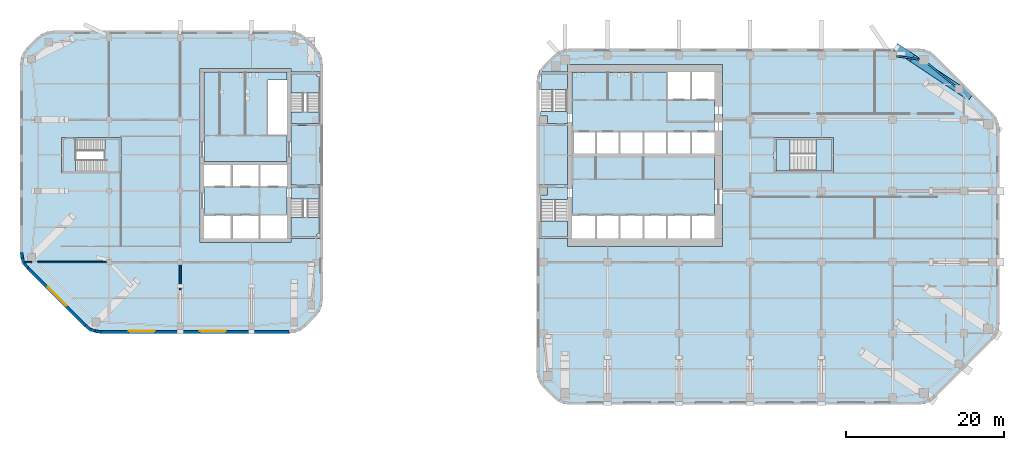
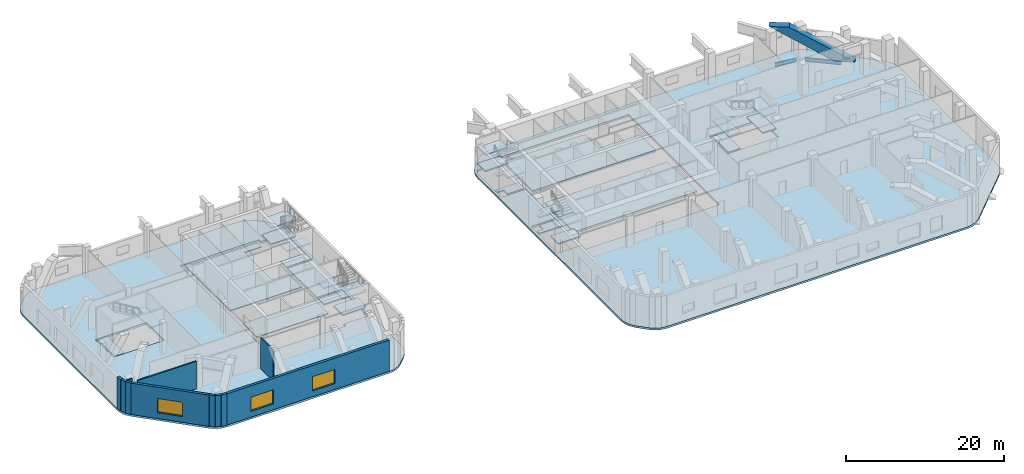
# One storey, part 4 of 14: 28 slabs, 11 walls, 3 windows, 2 beams, 1 member, 3 openings, 6 elements without a shape of their own.
"""IFC4 building model written with IfcOpenShell, lengths in metres."""

from ifc_helpers import new_model, si_unit, direction, frame, frame_2d, origin, origin_2d, place, context, subcontext, project, spatial, polyline, rectangle, i_section, outline, extrude, material, layer, layer_set, material_profile, profile_set, type_object, element, fill, aggregate, save


model = new_model("IFC4")

# Units and contexts
model_context = context("Model", 3, precision=1e-05, world=origin(), true_north=direction((0.0, 1.0)))
body_context = subcontext(model_context, "Body", "Model", "MODEL_VIEW")
ifc_project = project(units=[si_unit("LENGTHUNIT", "METRE"), si_unit("AREAUNIT", "SQUARE_METRE"), si_unit("VOLUMEUNIT", "CUBIC_METRE"), si_unit("PLANEANGLEUNIT", "RADIAN"), si_unit("MASSUNIT", "GRAM", prefix="KILO")], contexts=[model_context])

# Site, building, storey
site_placement = place(None, origin())
site = spatial("IfcSite", under=ifc_project, at=site_placement, CompositionType="ELEMENT")
building_placement = place(site_placement, origin())
building = spatial("IfcBuilding", under=site, at=building_placement, Name="Cinnabar Reach Civic Tower", CompositionType="ELEMENT")
storey_placement = place(building_placement, frame((0.0, 0.0, 95.0)))
storey = spatial("IfcBuildingStorey", under=building, at=storey_placement, Name="L22", CompositionType="ELEMENT", Elevation=95.0)

# Beams
ifc_material_1 = material(Name="Steel Q355B", Category="steel")
ifc_material_profile_1 = material_profile(ifc_material_1, i_section(OverallWidth=0.2, OverallDepth=0.6, WebThickness=0.011, FlangeThickness=0.017, FilletRadius=0.016, at=origin_2d()), Name="HN600x200x11x17")
ifc_profile_set_1 = profile_set([ifc_material_profile_1], Name="Steel Q355B")
beam_type = type_object("IfcBeamType", Name="HN600x200x11x17 beam R 180", PredefinedType="BEAM", material=ifc_profile_set_1)
beam_1_placement = place(storey_placement, frame((53.0211, 40.1461, -0.6), z_axis=(-0.77143827905, 0.6363041581, 0.0), x_axis=(-0.6363041581, -0.77143827905, 0.0)))
element("IfcBeam", 1, at=beam_1_placement, inside=storey, type_object=beam_type, Name="Edge beam T1 L22 13", PredefinedType="BEAM", context=body_context, shape_type="SweptSolid", body=[
    extrude(i_section(OverallWidth=0.2, OverallDepth=0.6, WebThickness=0.011, FlangeThickness=0.017, FilletRadius=0.016, at=origin_2d()), origin(), (0.0, 0.0, 1.0), 4.7198),
])
beam_2_placement = place(storey_placement, frame((48.4161, 43.6153, -0.6), z_axis=(-0.990082238922, 0.140489003738, 0.0), x_axis=(-0.140489003738, -0.990082238922, 0.0)))
element("IfcBeam", 2, at=beam_2_placement, inside=storey, type_object=beam_type, Name="Edge beam T1 L22 14", PredefinedType="BEAM", context=body_context, shape_type="SweptSolid", body=[
    extrude(i_section(OverallWidth=0.2, OverallDepth=0.6, WebThickness=0.011, FlangeThickness=0.017, FilletRadius=0.016, at=origin_2d()), origin(), (0.0, 0.0, 1.0), 2.9433),
])

# Member
ifc_material_2 = material(Name="Concrete C70", Category="concrete")
ifc_material_profile_2 = material_profile(ifc_material_2, rectangle(XDim=2.6, YDim=1.0, at=origin_2d()), Name="RC2600x1000")
ifc_profile_set_2 = profile_set([ifc_material_profile_2], Name="Concrete C70")
member_type = type_object("IfcMemberType", Name="RC2600x1000 raked strut R 240", PredefinedType="STRUT", material=ifc_profile_set_2)
member_placement = place(storey_placement, frame((53.7811, 39.5852, -0.3), z_axis=(0.0, 0.0, 1.0), x_axis=(-0.83205094808, 0.554699215611, 0.0)))
element("IfcMember", 3, at=member_placement, inside=storey, type_object=member_type, Name="Raked column T1-Z1-F3-M", PredefinedType="STRUT", context=body_context, shape_type="SweptSolid", body=[
    extrude(rectangle(XDim=2.6, YDim=1.0, at=origin_2d()), origin(), (0.858309710975, -6.382022e-06, 0.513131990822), 10.3287),
])

# Slabs
ifc_material_3 = material(Name="Concrete C40", Category="concrete")
ifc_layer_1 = layer(ifc_material_3, 0.3)
ifc_layer_set_1 = layer_set([ifc_layer_1], Name="Refuge floor slab 300 REI 120")
slab_type_1 = type_object("IfcSlabType", Name="Refuge floor slab 300 REI 120", PredefinedType="FLOOR", material=ifc_layer_set_1)
slab_1_placement = place(storey_placement, frame((0.0, 0.0, -0.3)))
element("IfcSlab", 4, at=slab_1_placement, inside=storey, type_object=slab_type_1, Name="Refuge floor slab 300 T2 L22", PredefinedType="FLOOR", context=body_context, shape_type="SweptSolid", body=[
    extrude(outline(polyline([(-64.3713, 17.1213), (-64.8481, 17.7426), (-65.1478, 18.4662), (-65.25, 19.2426), (-65.25, 43.0074), (-65.1478, 43.7838), (-64.8481, 44.5074), (-64.3713, 45.1287), (-63.1287, 46.3713), (-62.5074, 46.8481), (-61.7838, 47.1478), (-61.0074, 47.25), (-31.2426, 47.25), (-30.4662, 47.1478), (-29.7426, 46.8481), (-29.1213, 46.3713), (-27.8787, 45.1287), (-27.4019, 44.5074), (-27.1022, 43.7838), (-27.0, 43.0074), (-27.0, 13.2426), (-27.1022, 12.4662), (-27.4019, 11.7426), (-27.8787, 11.1213), (-29.1213, 9.8787), (-29.7426, 9.4019), (-30.4662, 9.1022), (-31.2426, 9.0), (-55.0074, 9.0), (-55.7838, 9.1022), (-56.5074, 9.4019), (-57.1287, 9.8787), (-64.3713, 17.1213)]), holes=[polyline([(-31.0, 27.75), (-31.0, 35.25), (-27.36, 35.25), (-27.36, 42.0), (-31.0, 42.0), (-31.0, 42.5), (-42.5, 42.5), (-42.5, 20.5), (-31.0, 20.5), (-31.0, 21.0), (-27.36, 21.0), (-27.36, 27.75), (-31.0, 27.75)]), polyline([(-60.0, 33.75), (-60.0, 29.25), (-52.5, 29.25), (-52.5, 33.75), (-60.0, 33.75)])]), origin(), (0.0, 0.0, 1.0), 0.3),
])
ifc_layer_2 = layer(ifc_material_3, 0.3)
ifc_layer_set_2 = layer_set([ifc_layer_2], Name="Refuge floor slab 300 REI 150")
slab_type_2 = type_object("IfcSlabType", Name="Refuge floor slab 300 REI 150", PredefinedType="FLOOR", material=ifc_layer_set_2)
slab_2_placement = place(storey_placement, frame((0.0, 0.0, -0.3)))
element("IfcSlab", 5, at=slab_2_placement, inside=storey, type_object=slab_type_2, Name="Refuge floor slab 300 T1 L22", PredefinedType="FLOOR", context=body_context, shape_type="SweptSolid", body=[
    extrude(outline(polyline([(0.8787, 2.1213), (0.4019, 2.7426), (0.1022, 3.4662), (0.0, 4.2426), (0.0, 40.7574), (0.1022, 41.5338), (0.4019, 42.2574), (0.8787, 42.8787), (2.1213, 44.1213), (2.7426, 44.5981), (3.4662, 44.8978), (4.2426, 45.0), (48.2574, 45.0), (49.0338, 44.8978), (49.7574, 44.5981), (50.3787, 44.1213), (57.6213, 36.8787), (58.0981, 36.2574), (58.3978, 35.5338), (58.5, 34.7574), (58.5, 10.2426), (58.3978, 9.4662), (58.0981, 8.7426), (57.6213, 8.1213), (50.3787, 0.8787), (49.7574, 0.4019), (49.0338, 0.1022), (48.2574, 0.0), (4.2426, 0.0), (3.4662, 0.1022), (2.7426, 0.4019), (2.1213, 0.8787), (0.8787, 2.1213)]), holes=[polyline([(0.36, 21.0), (3.9, 21.0), (3.9, 20.0), (23.5, 20.0), (23.5, 43.0), (3.9, 43.0), (3.9, 42.0), (0.685, 42.0), (0.453, 41.4398), (0.36, 40.7338), (0.36, 35.25), (3.9, 35.25), (3.9, 27.75), (0.36, 27.75), (0.36, 21.0)]), polyline([(30.0, 33.75), (30.0, 29.25), (37.5, 29.25), (37.5, 33.75), (30.0, 33.75)])]), origin(), (0.0, 0.0, 1.0), 0.3),
])

# Stair, slabs
ifc_material_4 = material(Name="Concrete C40/50", Category="concrete")
stair_type_1 = type_object("IfcStairType", Name="T1 Exit stair, double return", PredefinedType="DOUBLE_RETURN_STAIR", material=ifc_material_4)
stair_1_placement = place(storey_placement, origin())
stair_1 = element("IfcStair", 6, at=stair_1_placement, inside=storey, type_object=stair_type_1, Name="Stair T1-S1", PredefinedType="DOUBLE_RETURN_STAIR")
ifc_layer_3 = layer(ifc_material_4, 0.2)
ifc_layer_set_3 = layer_set([ifc_layer_3], Name="T1 Stair landing 200, Concrete C40/50")
slab_type_3 = type_object("IfcSlabType", Name="T1 Stair landing 200, Concrete C40/50", PredefinedType="LANDING", material=ifc_layer_set_3)
slab_3_placement = place(storey_placement, frame((0.0, 0.0, -0.2)))
slab_3 = element("IfcSlab", 7, at=slab_3_placement, type_object=slab_type_3, Name="T1-S1 landing 1", PredefinedType="LANDING", context=body_context, shape_type="SweptSolid", body=[
    extrude(outline(polyline([(3.9, 27.5), (3.9, 25.95), (0.5, 25.95), (0.5, 26.5), (1.4, 26.5), (1.4, 27.5), (3.9, 27.5)])), origin(), (0.0, 0.0, 1.0), 0.2),
])
slab_4_placement = place(storey_placement, frame((0.0, 0.0, 1.05)))
slab_4 = element("IfcSlab", 8, at=slab_4_placement, type_object=slab_type_3, Name="T1-S1 landing 2", PredefinedType="LANDING", context=body_context, shape_type="SweptSolid", body=[
    extrude(outline(polyline([(0.6, 21.25), (0.6, 23.205), (3.9, 23.205), (3.9, 21.25), (0.6, 21.25)])), origin(), (0.0, 0.0, 1.0), 0.2),
])
slab_5_placement = place(storey_placement, frame((0.0, 0.0, 2.3)))
slab_5 = element("IfcSlab", 9, at=slab_5_placement, type_object=slab_type_3, Name="T1-S1 landing 3", PredefinedType="LANDING", context=body_context, shape_type="SweptSolid", body=[
    extrude(outline(polyline([(3.9, 27.5), (3.9, 25.95), (0.5, 25.95), (0.5, 26.5), (1.4, 26.5), (1.4, 27.5), (3.9, 27.5)])), origin(), (0.0, 0.0, 1.0), 0.2),
])
slab_6_placement = place(storey_placement, frame((0.0, 0.0, 3.55)))
slab_6 = element("IfcSlab", 10, at=slab_6_placement, type_object=slab_type_3, Name="T1-S1 landing 4", PredefinedType="LANDING", context=body_context, shape_type="SweptSolid", body=[
    extrude(outline(polyline([(0.6, 21.25), (0.6, 23.205), (3.9, 23.205), (3.9, 21.25), (0.6, 21.25)])), origin(), (0.0, 0.0, 1.0), 0.2),
])
aggregate(stair_1, [slab_3, slab_4, slab_5, slab_6])

stair_2_placement = place(storey_placement, origin())
stair_2 = element("IfcStair", 11, at=stair_2_placement, inside=storey, type_object=stair_type_1, Name="Stair T1-S2", PredefinedType="DOUBLE_RETURN_STAIR")
slab_7_placement = place(storey_placement, frame((0.0, 0.0, -0.2)))
slab_7 = element("IfcSlab", 12, at=slab_7_placement, type_object=slab_type_3, Name="T1-S2 landing 1", PredefinedType="LANDING", context=body_context, shape_type="SweptSolid", body=[
    extrude(outline(polyline([(0.5, 37.05), (3.9, 37.05), (3.9, 35.5), (1.4, 35.5), (1.4, 36.5), (0.5, 36.5), (0.5, 37.05)])), origin(), (0.0, 0.0, 1.0), 0.2),
])
slab_8_placement = place(storey_placement, frame((0.0, 0.0, 1.05)))
slab_8 = element("IfcSlab", 13, at=slab_8_placement, type_object=slab_type_3, Name="T1-S2 landing 2", PredefinedType="LANDING", context=body_context, shape_type="SweptSolid", body=[
    extrude(outline(polyline([(0.6, 39.795), (0.6, 41.75), (3.9, 41.75), (3.9, 39.795), (0.6, 39.795)])), origin(), (0.0, 0.0, 1.0), 0.2),
])
slab_9_placement = place(storey_placement, frame((0.0, 0.0, 2.3)))
slab_9 = element("IfcSlab", 14, at=slab_9_placement, type_object=slab_type_3, Name="T1-S2 landing 3", PredefinedType="LANDING", context=body_context, shape_type="SweptSolid", body=[
    extrude(outline(polyline([(0.5, 37.05), (3.9, 37.05), (3.9, 35.5), (1.4, 35.5), (1.4, 36.5), (0.5, 36.5), (0.5, 37.05)])), origin(), (0.0, 0.0, 1.0), 0.2),
])
slab_10_placement = place(storey_placement, frame((0.0, 0.0, 3.55)))
slab_10 = element("IfcSlab", 15, at=slab_10_placement, type_object=slab_type_3, Name="T1-S2 landing 4", PredefinedType="LANDING", context=body_context, shape_type="SweptSolid", body=[
    extrude(outline(polyline([(0.6, 39.795), (0.6, 41.75), (3.9, 41.75), (3.9, 39.795), (0.6, 39.795)])), origin(), (0.0, 0.0, 1.0), 0.2),
])
aggregate(stair_2, [slab_7, slab_8, slab_9, slab_10])

stair_3_placement = place(storey_placement, origin())
stair_3 = element("IfcStair", 16, at=stair_3_placement, inside=storey, type_object=stair_type_1, Name="Stair T1-S3", PredefinedType="DOUBLE_RETURN_STAIR")
slab_11_placement = place(storey_placement, frame((0.0, 0.0, -0.2)))
slab_11 = element("IfcSlab", 17, at=slab_11_placement, type_object=slab_type_3, Name="T1-S3 landing 1", PredefinedType="LANDING", context=body_context, shape_type="SweptSolid", body=[
    extrude(outline(polyline([(30.25, 29.5), (32.05, 29.5), (32.05, 33.5), (30.25, 33.5), (30.25, 29.5)])), origin(), (0.0, 0.0, 1.0), 0.2),
])
slab_12_placement = place(storey_placement, frame((0.0, 0.0, 1.05)))
slab_12 = element("IfcSlab", 18, at=slab_12_placement, type_object=slab_type_3, Name="T1-S3 landing 2", PredefinedType="LANDING", context=body_context, shape_type="SweptSolid", body=[
    extrude(outline(polyline([(35.29, 29.5), (37.25, 29.5), (37.25, 33.5), (35.29, 33.5), (35.29, 29.5)])), origin(), (0.0, 0.0, 1.0), 0.2),
])
slab_13_placement = place(storey_placement, frame((0.0, 0.0, 2.3)))
slab_13 = element("IfcSlab", 19, at=slab_13_placement, type_object=slab_type_3, Name="T1-S3 landing 3", PredefinedType="LANDING", context=body_context, shape_type="SweptSolid", body=[
    extrude(outline(polyline([(30.25, 29.5), (32.05, 29.5), (32.05, 33.5), (30.25, 33.5), (30.25, 29.5)])), origin(), (0.0, 0.0, 1.0), 0.2),
])
slab_14_placement = place(storey_placement, frame((0.0, 0.0, 3.55)))
slab_14 = element("IfcSlab", 20, at=slab_14_placement, type_object=slab_type_3, Name="T1-S3 landing 4", PredefinedType="LANDING", context=body_context, shape_type="SweptSolid", body=[
    extrude(outline(polyline([(35.29, 29.5), (37.25, 29.5), (37.25, 33.5), (35.29, 33.5), (35.29, 29.5)])), origin(), (0.0, 0.0, 1.0), 0.2),
])
aggregate(stair_3, [slab_11, slab_12, slab_13, slab_14])

# Slabs
ifc_layer_4 = layer(ifc_material_4, 0.3)
ifc_layer_set_4 = layer_set([ifc_layer_4], Name="T1 core floor slab 300")
slab_type_4 = type_object("IfcSlabType", Name="T1 core floor slab 300", PredefinedType="FLOOR", material=ifc_layer_set_4)
slab_15_placement = place(storey_placement, frame((0.0, 0.0, -0.3)))
element("IfcSlab", 21, at=slab_15_placement, inside=storey, type_object=slab_type_4, Name="Core floor slab L22", PredefinedType="FLOOR", context=body_context, shape_type="SweptSolid", body=[
    extrude(outline(polyline([(22.5, 24.0), (19.5, 24.0), (16.5, 24.0), (13.5, 24.0), (10.5, 24.0), (7.5, 24.0), (4.5, 24.0), (4.5, 31.5), (7.5, 31.5), (10.5, 31.5), (13.5, 31.5), (16.5, 31.5), (19.5, 31.5), (22.5, 31.5), (22.5, 24.0)])), origin(), (0.0, 0.0, 1.0), 0.3),
])
slab_16_placement = place(storey_placement, frame((0.0, 0.0, -0.3)))
element("IfcSlab", 22, at=slab_16_placement, inside=storey, type_object=slab_type_4, Name="Core floor slab L22", PredefinedType="FLOOR", context=body_context, shape_type="SweptSolid", body=[
    extrude(outline(polyline([(22.5, 34.5), (19.5, 34.5), (16.5, 34.5), (13.5, 34.5), (10.5, 34.5), (7.5, 34.5), (4.5, 34.5), (4.5, 42.0), (16.5, 42.0), (16.5, 38.5), (19.5, 38.5), (22.5, 38.5), (22.5, 34.5)])), origin(), (0.0, 0.0, 1.0), 0.3),
])
ifc_layer_5 = layer(ifc_material_3, 0.15)
ifc_layer_set_5 = layer_set([ifc_layer_5], Name="T2 Core floor slab 150")
slab_type_5 = type_object("IfcSlabType", Name="T2 Core floor slab 150", PredefinedType="FLOOR", material=ifc_layer_set_5)
slab_17_placement = place(storey_placement, frame((0.0, 0.0, -0.15)))
element("IfcSlab", 23, at=slab_17_placement, inside=storey, type_object=slab_type_5, Name="Core floor slab L22", PredefinedType="FLOOR", context=body_context, shape_type="SweptSolid", body=[
    extrude(outline(polyline([(-42.0, 42.0), (-31.5, 42.0), (-31.5, 41.0), (-34.0, 41.0), (-34.0, 34.0), (-31.5, 34.0), (-31.5, 30.75), (-42.0, 30.75), (-42.0, 42.0)])), origin(), (0.0, 0.0, 1.0), 0.15),
])
slab_18_placement = place(storey_placement, frame((0.0, 0.0, -0.15)))
element("IfcSlab", 24, at=slab_18_placement, inside=storey, type_object=slab_type_5, Name="Core floor slab L22", PredefinedType="FLOOR", context=body_context, shape_type="SweptSolid", body=[
    extrude(outline(polyline([(-35.0, 24.0), (-38.5, 24.0), (-42.0, 24.0), (-42.0, 27.5), (-38.5, 27.5), (-35.0, 27.5), (-31.5, 27.5), (-31.5, 24.0), (-35.0, 24.0)])), origin(), (0.0, 0.0, 1.0), 0.15),
])

# Stair, slabs
stair_type_2 = type_object("IfcStairType", Name="T2 Exit stair 1500", PredefinedType="HALF_TURN_STAIR", material=ifc_material_3)
stair_4_placement = place(storey_placement, origin())
stair_4 = element("IfcStair", 25, at=stair_4_placement, inside=storey, type_object=stair_type_2, Name="Exit stair 1", PredefinedType="HALF_TURN_STAIR")
ifc_layer_6 = layer(ifc_material_3, 0.2)
ifc_layer_set_6 = layer_set([ifc_layer_6], Name="T2 Stair landing 200")
slab_type_6 = type_object("IfcSlabType", Name="T2 Stair landing 200", PredefinedType="LANDING", material=ifc_layer_set_6)
slab_19_placement = place(storey_placement, frame((0.0, 0.0, -0.2)))
slab_19 = element("IfcSlab", 26, at=slab_19_placement, type_object=slab_type_6, Name="ST1 landing 1", PredefinedType="LANDING", context=body_context, shape_type="SweptSolid", body=[
    extrude(outline(polyline([(-31.0, 26.0), (-31.0, 27.5), (-27.4, 27.5), (-27.4, 26.0), (-31.0, 26.0)])), origin(), (0.0, 0.0, 1.0), 0.2),
])
slab_20_placement = place(storey_placement, frame((0.0, 0.0, 1.05)))
slab_20 = element("IfcSlab", 27, at=slab_20_placement, type_object=slab_type_6, Name="ST1 landing 2", PredefinedType="LANDING", context=body_context, shape_type="SweptSolid", body=[
    extrude(outline(polyline([(-31.0, 21.25), (-31.0, 23.6375), (-27.4, 23.6375), (-27.4, 21.55), (-27.7, 21.55), (-27.7, 21.25), (-31.0, 21.25)])), origin(), (0.0, 0.0, 1.0), 0.2),
])
slab_21_placement = place(storey_placement, frame((0.0, 0.0, 2.3)))
slab_21 = element("IfcSlab", 28, at=slab_21_placement, type_object=slab_type_6, Name="ST1 landing 3", PredefinedType="LANDING", context=body_context, shape_type="SweptSolid", body=[
    extrude(outline(polyline([(-31.0, 26.0), (-31.0, 27.5), (-27.4, 27.5), (-27.4, 26.0), (-31.0, 26.0)])), origin(), (0.0, 0.0, 1.0), 0.2),
])
slab_22_placement = place(storey_placement, frame((0.0, 0.0, 3.55)))
slab_22 = element("IfcSlab", 29, at=slab_22_placement, type_object=slab_type_6, Name="ST1 landing 4", PredefinedType="LANDING", context=body_context, shape_type="SweptSolid", body=[
    extrude(outline(polyline([(-31.0, 21.25), (-31.0, 23.6375), (-27.4, 23.6375), (-27.4, 21.55), (-27.7, 21.55), (-27.7, 21.25), (-31.0, 21.25)])), origin(), (0.0, 0.0, 1.0), 0.2),
])
aggregate(stair_4, [slab_19, slab_20, slab_21, slab_22])

stair_5_placement = place(storey_placement, origin())
stair_5 = element("IfcStair", 30, at=stair_5_placement, inside=storey, type_object=stair_type_2, Name="Exit stair 2", PredefinedType="HALF_TURN_STAIR")
slab_23_placement = place(storey_placement, frame((0.0, 0.0, -0.2)))
slab_23 = element("IfcSlab", 31, at=slab_23_placement, type_object=slab_type_6, Name="ST2 landing 1", PredefinedType="LANDING", context=body_context, shape_type="SweptSolid", body=[
    extrude(outline(polyline([(-31.0, 35.5), (-31.0, 37.0), (-27.4, 37.0), (-27.4, 35.5), (-31.0, 35.5)])), origin(), (0.0, 0.0, 1.0), 0.2),
])
slab_24_placement = place(storey_placement, frame((0.0, 0.0, 1.05)))
slab_24 = element("IfcSlab", 32, at=slab_24_placement, type_object=slab_type_6, Name="ST2 landing 2", PredefinedType="LANDING", context=body_context, shape_type="SweptSolid", body=[
    extrude(outline(polyline([(-27.4, 39.3625), (-31.0, 39.3625), (-31.0, 41.75), (-27.7, 41.75), (-27.7, 41.45), (-27.4, 41.45), (-27.4, 39.3625)])), origin(), (0.0, 0.0, 1.0), 0.2),
])
slab_25_placement = place(storey_placement, frame((0.0, 0.0, 2.3)))
slab_25 = element("IfcSlab", 33, at=slab_25_placement, type_object=slab_type_6, Name="ST2 landing 3", PredefinedType="LANDING", context=body_context, shape_type="SweptSolid", body=[
    extrude(outline(polyline([(-31.0, 35.5), (-31.0, 37.0), (-27.4, 37.0), (-27.4, 35.5), (-31.0, 35.5)])), origin(), (0.0, 0.0, 1.0), 0.2),
])
slab_26_placement = place(storey_placement, frame((0.0, 0.0, 3.55)))
slab_26 = element("IfcSlab", 34, at=slab_26_placement, type_object=slab_type_6, Name="ST2 landing 4", PredefinedType="LANDING", context=body_context, shape_type="SweptSolid", body=[
    extrude(outline(polyline([(-27.4, 39.3625), (-31.0, 39.3625), (-31.0, 41.75), (-27.7, 41.75), (-27.7, 41.45), (-27.4, 41.45), (-27.4, 39.3625)])), origin(), (0.0, 0.0, 1.0), 0.2),
])
aggregate(stair_5, [slab_23, slab_24, slab_25, slab_26])

stair_6_placement = place(storey_placement, origin())
stair_6 = element("IfcStair", 35, at=stair_6_placement, inside=storey, type_object=stair_type_2, Name="Exit stair 3", PredefinedType="HALF_TURN_STAIR")
slab_27_placement = place(storey_placement, frame((0.0, 0.0, -0.2)))
slab_27 = element("IfcSlab", 36, at=slab_27_placement, type_object=slab_type_6, Name="ST3 landing 1", PredefinedType="LANDING", context=body_context, shape_type="SweptSolid", body=[
    extrude(outline(polyline([(-59.75, 29.375), (-59.75, 33.625), (-58.25, 33.625), (-58.25, 29.375), (-59.75, 29.375)])), origin(), (0.0, 0.0, 1.0), 0.2),
])
slab_28_placement = place(storey_placement, frame((0.0, 0.0, 2.3862)))
slab_28 = element("IfcSlab", 37, at=slab_28_placement, type_object=slab_type_6, Name="ST3 landing 2", PredefinedType="LANDING", context=body_context, shape_type="SweptSolid", body=[
    extrude(outline(polyline([(-54.5357, 29.375), (-54.5357, 33.625), (-52.75, 33.625), (-52.75, 29.375), (-54.5357, 29.375)])), origin(), (0.0, 0.0, 1.0), 0.2),
])
aggregate(stair_6, [slab_27, slab_28])

# Walls
ifc_material_5 = material(Name="Facing brick with insulated backing", Category="masonry")
ifc_layer_7 = layer(ifc_material_5, 0.36)
ifc_layer_set_7 = layer_set([ifc_layer_7], Name="Brick corner wall")
wall_type_1 = type_object("IfcWallType", Name="Brick corner wall", PredefinedType="STANDARD", material=ifc_layer_set_7)
for number, where, z_axis, x_axis, name in (
    (38, (-65.067, 19.2314, 0.0), (0.0, 0.0, 1.0), (0.13055608231, -0.99144092581, 0.0), "Brick corner wall"),
    (39, (-64.9681, 18.5027, 0.0), (0.0, 0.0, 1.0), (0.382702709855, -0.923871547278, 0.0), "Brick corner wall"),
):
    element("IfcWall", number, at=place(storey_placement, frame(where, z_axis=z_axis, x_axis=x_axis)), inside=storey, type_object=wall_type_1, Name=name, PredefinedType="STANDARD", context=body_context, shape_type="SweptSolid", body=[
        extrude(rectangle(XDim=0.7131, YDim=0.36, at=frame_2d((0.3565, 0.0))), origin(), (0.0, 0.0, 1.0), 4.85),
    ])
for number, where, z_axis, x_axis, name in (
    (40, (-64.684, 17.8245, 0.0), (0.0, 0.0, 1.0), (0.608802368033, -0.793321924995, 0.0), "Brick corner wall"),
    (41, (-56.9913, 10.0002, 0.0), (0.0, 0.0, 1.0), (0.793321924995, -0.608802368033, 0.0), "Brick corner wall"),
):
    element("IfcWall", number, at=place(storey_placement, frame(where, z_axis=z_axis, x_axis=x_axis)), inside=storey, type_object=wall_type_1, Name=name, PredefinedType="STANDARD", context=body_context, shape_type="SweptSolid", body=[
        extrude(rectangle(XDim=0.7132, YDim=0.36, at=frame_2d((0.3566, 0.0))), origin(), (0.0, 0.0, 1.0), 4.85),
    ])
for number, where, z_axis, x_axis, name in (
    (42, (-56.4061, 9.5548, 0.0), (0.0, 0.0, 1.0), (0.923871547278, -0.382702709855, 0.0), "Brick corner wall"),
    (43, (-55.7256, 9.2761, 0.0), (0.0, 0.0, 1.0), (0.99144092581, -0.13055608231, 0.0), "Brick corner wall"),
):
    element("IfcWall", number, at=place(storey_placement, frame(where, z_axis=z_axis, x_axis=x_axis)), inside=storey, type_object=wall_type_1, Name=name, PredefinedType="STANDARD", context=body_context, shape_type="SweptSolid", body=[
        extrude(rectangle(XDim=0.7131, YDim=0.36, at=frame_2d((0.3565, 0.0))), origin(), (0.0, 0.0, 1.0), 4.85),
    ])

# Wall, openings, windows
ifc_layer_8 = layer(ifc_material_5, 0.36)
ifc_layer_set_8 = layer_set([ifc_layer_8], Name="Brick pier and spandrel wall")
wall_type_2 = type_object("IfcWallType", Name="Brick pier and spandrel wall", PredefinedType="STANDARD", material=ifc_layer_set_8)
wall_1_placement = place(storey_placement, frame((-55.0074, 9.18, 0.0), z_axis=(0.0, 0.0, 1.0), x_axis=(1.0, 0.0, 0.0)))
wall_1 = element("IfcWall", 44, at=wall_1_placement, inside=storey, type_object=wall_type_2, Name="Brick facade wall", PredefinedType="STANDARD", context=body_context, shape_type="SweptSolid", body=[
    extrude(rectangle(XDim=23.7648, YDim=0.36, at=frame_2d((11.8824, 0.0))), origin(), (0.0, 0.0, 1.0), 4.85),
])
opening_1_placement = place(wall_1_placement, frame((3.4824, 0.0, 0.9)))
opening_1 = element("IfcOpeningElement", 45, at=opening_1_placement, cuts=wall_1, Name="Opening W2654", PredefinedType="OPENING", context=body_context, shape_type="SweptSolid", body=[
    extrude(rectangle(XDim=3.3, YDim=2.2, at=frame_2d((1.65, 1.1))), frame((0.0, 0.19, 0.0), z_axis=(0.0, -1.0, 0.0), x_axis=(1.0, 0.0, 0.0)), (0.0, 0.0, 1.0), 0.38),
])
opening_2_placement = place(wall_1_placement, frame((12.4824, 0.0, 0.9)))
opening_2 = element("IfcOpeningElement", 46, at=opening_2_placement, cuts=wall_1, Name="Opening W2655", PredefinedType="OPENING", context=body_context, shape_type="SweptSolid", body=[
    extrude(rectangle(XDim=3.3, YDim=2.2, at=frame_2d((1.65, 1.1))), frame((0.0, 0.19, 0.0), z_axis=(0.0, -1.0, 0.0), x_axis=(1.0, 0.0, 0.0)), (0.0, 0.0, 1.0), 0.38),
])
ifc_material_6 = material(Name="Clear double glazing in aluminium frame", Category="aluminium")
window_type = type_object("IfcWindowType", Name="Deep-set window B", PartitioningType="SINGLE_PANEL", PredefinedType="WINDOW", material=ifc_material_6)
window_1_placement = place(opening_1_placement, origin())
window_1 = element("IfcWindow", 47, at=window_1_placement, inside=storey, type_object=window_type, Name="Window south face", OverallHeight=2.2, OverallWidth=3.3, PartitioningType="SINGLE_PANEL", PredefinedType="WINDOW", context=body_context, shape_type="SweptSolid", body=[
    extrude(rectangle(XDim=3.3, YDim=2.2, at=frame_2d((1.65, 1.1))), frame((0.0, 0.13, 0.0), z_axis=(0.0, -1.0, 0.0), x_axis=(1.0, 0.0, 0.0)), (0.0, 0.0, 1.0), 0.06),
])
fill(opening_1, window_1)
window_2_placement = place(opening_2_placement, origin())
window_2 = element("IfcWindow", 48, at=window_2_placement, inside=storey, type_object=window_type, Name="Window south face", OverallHeight=2.2, OverallWidth=3.3, PartitioningType="SINGLE_PANEL", PredefinedType="WINDOW", context=body_context, shape_type="SweptSolid", body=[
    extrude(rectangle(XDim=3.3, YDim=2.2, at=frame_2d((1.65, 1.1))), frame((0.0, 0.13, 0.0), z_axis=(0.0, -1.0, 0.0), x_axis=(1.0, 0.0, 0.0)), (0.0, 0.0, 1.0), 0.06),
])
fill(opening_2, window_2)

# Wall, opening, window
wall_2_placement = place(storey_placement, frame((-64.244, 17.2486, 0.0), z_axis=(0.0, 0.0, 1.0), x_axis=(0.707106781187, -0.707106781187, 0.0)))
wall_2 = element("IfcWall", 49, at=wall_2_placement, inside=storey, type_object=wall_type_2, Name="Brick facade wall", PredefinedType="STANDARD", context=body_context, shape_type="SweptSolid", body=[
    extrude(rectangle(XDim=10.2426, YDim=0.36, at=frame_2d((5.1213, 0.0))), origin(), (0.0, 0.0, 1.0), 4.85),
])
opening_3_placement = place(wall_2_placement, frame((3.4713, 0.0, 0.9)))
opening_3 = element("IfcOpeningElement", 50, at=opening_3_placement, cuts=wall_2, Name="Opening W2668", PredefinedType="OPENING", context=body_context, shape_type="SweptSolid", body=[
    extrude(rectangle(XDim=3.3, YDim=2.2, at=frame_2d((1.65, 1.1))), frame((0.0, 0.19, 0.0), z_axis=(0.0, -1.0, 0.0), x_axis=(1.0, 0.0, 0.0)), (0.0, 0.0, 1.0), 0.38),
])
window_3_placement = place(opening_3_placement, origin())
window_3 = element("IfcWindow", 51, at=window_3_placement, inside=storey, type_object=window_type, Name="Window southwest face", OverallHeight=2.2, OverallWidth=3.3, PartitioningType="SINGLE_PANEL", PredefinedType="WINDOW", context=body_context, shape_type="SweptSolid", body=[
    extrude(rectangle(XDim=3.3, YDim=2.2, at=frame_2d((1.65, 1.1))), frame((0.0, 0.13, 0.0), z_axis=(0.0, -1.0, 0.0), x_axis=(1.0, 0.0, 0.0)), (0.0, 0.0, 1.0), 0.06),
])
fill(opening_3, window_3)

# Walls
ifc_layer_9 = layer(ifc_material_3, 0.2)
ifc_layer_set_9 = layer_set([ifc_layer_9], Name="Refuge compartment wall 200 T2")
wall_type_3 = type_object("IfcWallType", Name="Refuge compartment wall 200 T2", PredefinedType="PARTITIONING", material=ifc_layer_set_9)
wall_3_placement = place(storey_placement, frame((-62.9846, 18.0, 0.0), z_axis=(0.0, 0.0, 1.0), x_axis=(1.0, 0.0, 0.0)))
element("IfcWall", 52, at=wall_3_placement, inside=storey, type_object=wall_type_3, Name="Refuge compartment wall 4", PredefinedType="PARTITIONING", context=body_context, shape_type="SweptSolid", body=[
    extrude(rectangle(XDim=8.6346, YDim=0.2, at=frame_2d((4.3173, 0.0))), origin(), (0.0, 0.0, 1.0), 4.262),
])
wall_4_placement = place(storey_placement, frame((-64.565, 18.0, 0.0), z_axis=(0.0, 0.0, 1.0), x_axis=(1.0, 0.0, 0.0)))
element("IfcWall", 53, at=wall_4_placement, inside=storey, type_object=wall_type_3, Name="Refuge compartment wall 5", PredefinedType="PARTITIONING", context=body_context, shape_type="SweptSolid", body=[
    extrude(rectangle(XDim=0.8133, YDim=0.2, at=frame_2d((0.4067, 0.0))), origin(), (0.0, 0.0, 1.0), 4.85),
])
wall_5_placement = place(storey_placement, frame((-45.0, 14.5392, 0.0), z_axis=(0.0, 0.0, 1.0), x_axis=(0.0, 1.0, 0.0)))
element("IfcWall", 54, at=wall_5_placement, inside=storey, type_object=wall_type_3, Name="Refuge compartment wall 6", PredefinedType="PARTITIONING", context=body_context, shape_type="SweptSolid", body=[
    extrude(rectangle(XDim=3.1108, YDim=0.2, at=frame_2d((1.5554, 0.0))), origin(), (0.0, 0.0, 1.0), 4.85),
])

save(model, "model.ifc")
